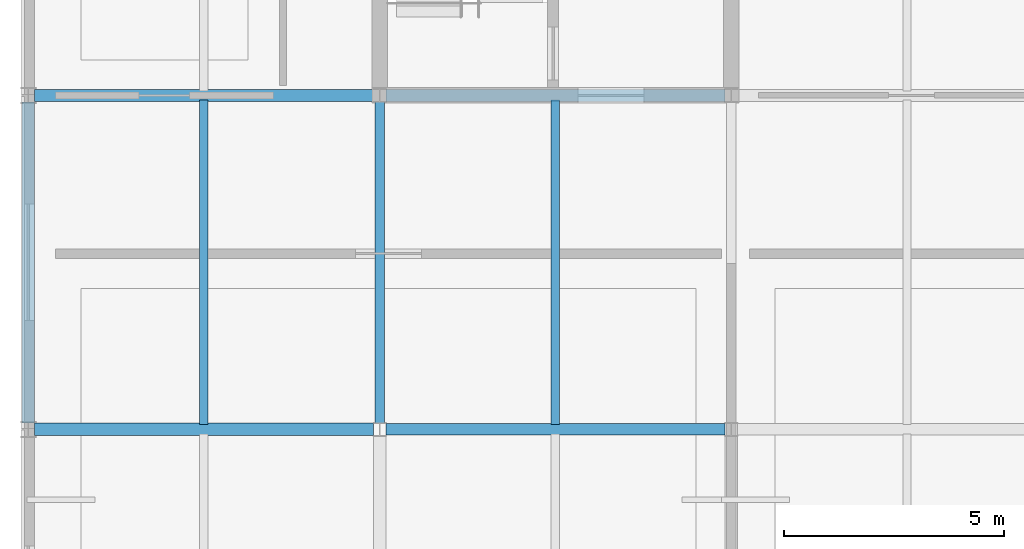
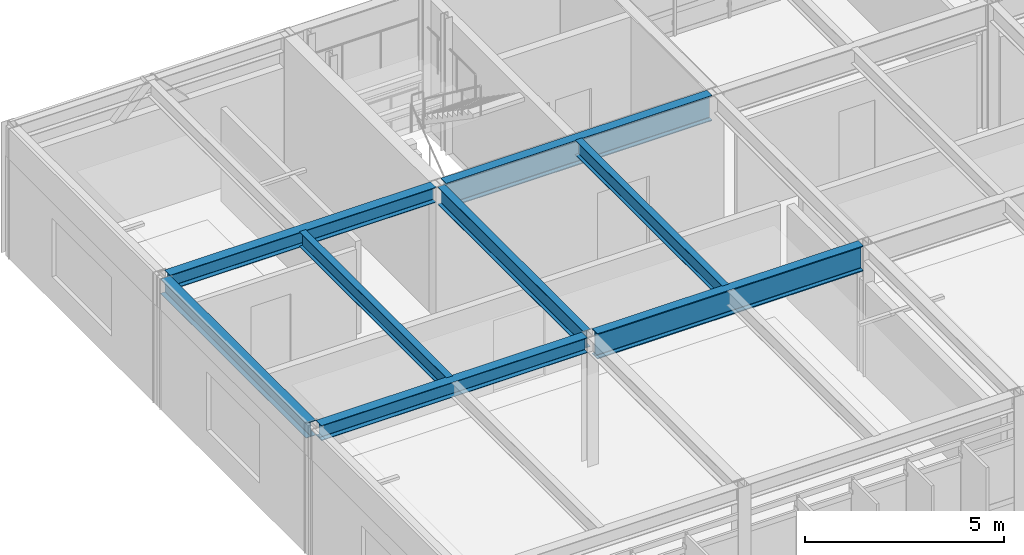
# One storey, part 10 of 33: 8 beams.
"""IFC4 building model written with IfcOpenShell, lengths in metres."""

from ifc_helpers import new_model, si_unit, direction, frame, origin, origin_2d, place, context, subcontext, project, spatial, i_section, extrude, material, material_profile, profile_set, type_object, element, save


model = new_model("IFC4")

# Units and contexts
model_context = context("Model", 3, precision=1e-05, world=origin(), true_north=direction((0.0, 1.0)))
body_context = subcontext(model_context, "Body", "Model", "MODEL_VIEW")
ifc_project = project(units=[si_unit("LENGTHUNIT", "METRE"), si_unit("AREAUNIT", "SQUARE_METRE"), si_unit("VOLUMEUNIT", "CUBIC_METRE"), si_unit("PLANEANGLEUNIT", "RADIAN"), si_unit("MASSUNIT", "GRAM", prefix="KILO")], contexts=[model_context])

# Site, building, storey
site_placement = place(None, origin())
site = spatial("IfcSite", under=ifc_project, at=site_placement, CompositionType="ELEMENT")
building_placement = place(site_placement, origin())
building = spatial("IfcBuilding", under=site, at=building_placement, Name="Zulena Civic Courthouse", CompositionType="ELEMENT")
storey_placement = place(building_placement, frame((0.0, 0.0, 33.60009765625)))
storey = spatial("IfcBuildingStorey", under=building, at=storey_placement, Name="L07", CompositionType="ELEMENT", Elevation=33.60009765625)

# Beams
ifc_material = material(Name="Steel ASTM A992 Grade 50", Category="steel")
ifc_material_profile_1 = material_profile(ifc_material, i_section(OverallWidth=0.2099609375, OverallDepth=0.537109375, WebThickness=0.010986328125, FlangeThickness=0.017333984375, FilletRadius=0.0126953125, at=origin_2d()), Name="W21X68")
ifc_profile_set_1 = profile_set([ifc_material_profile_1], Name="Steel ASTM A992 Grade 50")
beam_type_1 = type_object("IfcBeamType", Name="Girder_W21X68", PredefinedType="BEAM", material=ifc_profile_set_1)
beam_1_placement = place(storey_placement, frame((20.0, 7.7451171875, 3.721435546875), z_axis=(0.0, 1.0, 0.0), x_axis=(-1.0, 0.0, 0.0)))
element("IfcBeam", 1, at=beam_1_placement, inside=storey, type_object=beam_type_1, Name="beam:Y:V2:L07:20.0:7.6_15.2", PredefinedType="BEAM", context=body_context, shape_type="SweptSolid", body=[
    extrude(i_section(OverallWidth=0.2099609375, OverallDepth=0.537109375, WebThickness=0.010986328125, FlangeThickness=0.017333984375, FilletRadius=0.0126953125, at=origin_2d()), origin(), (0.0, 0.0, 1.0), 7.309814453125),
])
ifc_material_profile_2 = material_profile(ifc_material, i_section(OverallWidth=0.26611328125, OverallDepth=0.779052734375, WebThickness=0.0166015625, FlangeThickness=0.030029296875, FilletRadius=0.0166015625, at=origin_2d()), Name="W30X148")
ifc_profile_set_2 = profile_set([ifc_material_profile_2], Name="Steel ASTM A992 Grade 50")
beam_type_2 = type_object("IfcBeamType", Name="Girder_W30X148", PredefinedType="BEAM", material=ifc_profile_set_2)
for number, where, z_axis, x_axis, name in (
    (2, (20.14501953125, 7.60009765625, 3.6103515625), (1.0, 0.0, 0.0), (0.0, 1.0, 0.0), "beam:X:V2:L07:7.6:20.0_28.0"),
    (3, (20.14501953125, 15.199951171875, 3.6103515625), (1.0, 0.0, 0.0), (0.0, 1.0, 0.0), "beam:X:V2:L07:15.2:20.0_28.0"),
):
    element("IfcBeam", number, at=place(storey_placement, frame(where, z_axis=z_axis, x_axis=x_axis)), inside=storey, type_object=beam_type_2, Name=name, PredefinedType="BEAM", context=body_context, shape_type="SweptSolid", body=[
        extrude(i_section(OverallWidth=0.26611328125, OverallDepth=0.779052734375, WebThickness=0.0166015625, FlangeThickness=0.030029296875, FilletRadius=0.0166015625, at=origin_2d()), origin(), (0.0, 0.0, 1.0), 7.7099609375),
    ])
ifc_material_profile_3 = material_profile(ifc_material, i_section(OverallWidth=0.19091796875, OverallDepth=0.4599609375, WebThickness=0.010009765625, FlangeThickness=0.01611328125, FilletRadius=0.01025390625, at=origin_2d()), Name="W18X55")
ifc_profile_set_3 = profile_set([ifc_material_profile_3], Name="Steel ASTM A992 Grade 50")
beam_type_3 = type_object("IfcBeamType", Name="Joist_W18X55", PredefinedType="JOIST", material=ifc_profile_set_3)
for number, where, z_axis, x_axis, name in (
    (4, (16.0, 7.705078125, 3.760009765625), (0.0, 1.0, 0.0), (-1.0, 0.0, 0.0), "joist:V2:L07:16.00:7.6_15.2"),
    (5, (24.0, 7.705078125, 3.77001953125), (0.0, 1.0, 0.0), (-1.0, 0.0, 0.0), "joist:V2:L07:24.00:7.6_15.2"),
):
    element("IfcBeam", number, at=place(storey_placement, frame(where, z_axis=z_axis, x_axis=x_axis)), inside=storey, type_object=beam_type_3, Name=name, PredefinedType="JOIST", context=body_context, shape_type="SweptSolid", body=[
        extrude(i_section(OverallWidth=0.19091796875, OverallDepth=0.4599609375, WebThickness=0.010009765625, FlangeThickness=0.01611328125, FilletRadius=0.01025390625, at=origin_2d()), origin(), (0.0, 0.0, 1.0), 7.389892578125),
    ])
ifc_material_profile_4 = material_profile(ifc_material, i_section(OverallWidth=0.280029296875, OverallDepth=0.462890625, WebThickness=0.0107421875, FlangeThickness=0.017333984375, FilletRadius=0.01025390625, at=origin_2d()), Name="W18X76")
ifc_profile_set_4 = profile_set([ifc_material_profile_4], Name="Steel ASTM A992 Grade 50")
beam_type_4 = type_object("IfcBeamType", Name="Spandrel_W18X76", PredefinedType="SPANDREL", material=ifc_profile_set_4)
for number, where, z_axis, x_axis, name in (
    (6, (12.14501953125, 7.60009765625, 3.75830078125), (1.0, 0.0, 0.0), (0.0, 1.0, 0.0), "beam:X:V2:L07:7.6:12.0_20.0"),
    (7, (12.14501953125, 15.199951171875, 3.75830078125), (1.0, 0.0, 0.0), (0.0, 1.0, 0.0), "beam:X:V2:L07:15.2:12.0_20.0"),
):
    element("IfcBeam", number, at=place(storey_placement, frame(where, z_axis=z_axis, x_axis=x_axis)), inside=storey, type_object=beam_type_4, Name=name, PredefinedType="SPANDREL", context=body_context, shape_type="SweptSolid", body=[
        extrude(i_section(OverallWidth=0.280029296875, OverallDepth=0.462890625, WebThickness=0.0107421875, FlangeThickness=0.017333984375, FilletRadius=0.01025390625, at=origin_2d()), origin(), (0.0, 0.0, 1.0), 7.7099609375),
    ])
beam_2_placement = place(storey_placement, frame((12.0, 7.7451171875, 3.75830078125), z_axis=(0.0, 1.0, 0.0), x_axis=(-1.0, 0.0, 0.0)))
element("IfcBeam", 8, at=beam_2_placement, inside=storey, type_object=beam_type_4, Name="beam:Y:V2:L07:12.0:7.6_15.2", PredefinedType="SPANDREL", context=body_context, shape_type="SweptSolid", body=[
    extrude(i_section(OverallWidth=0.280029296875, OverallDepth=0.462890625, WebThickness=0.0107421875, FlangeThickness=0.017333984375, FilletRadius=0.01025390625, at=origin_2d()), origin(), (0.0, 0.0, 1.0), 7.309814453125),
])

save(model, "model.ifc")
